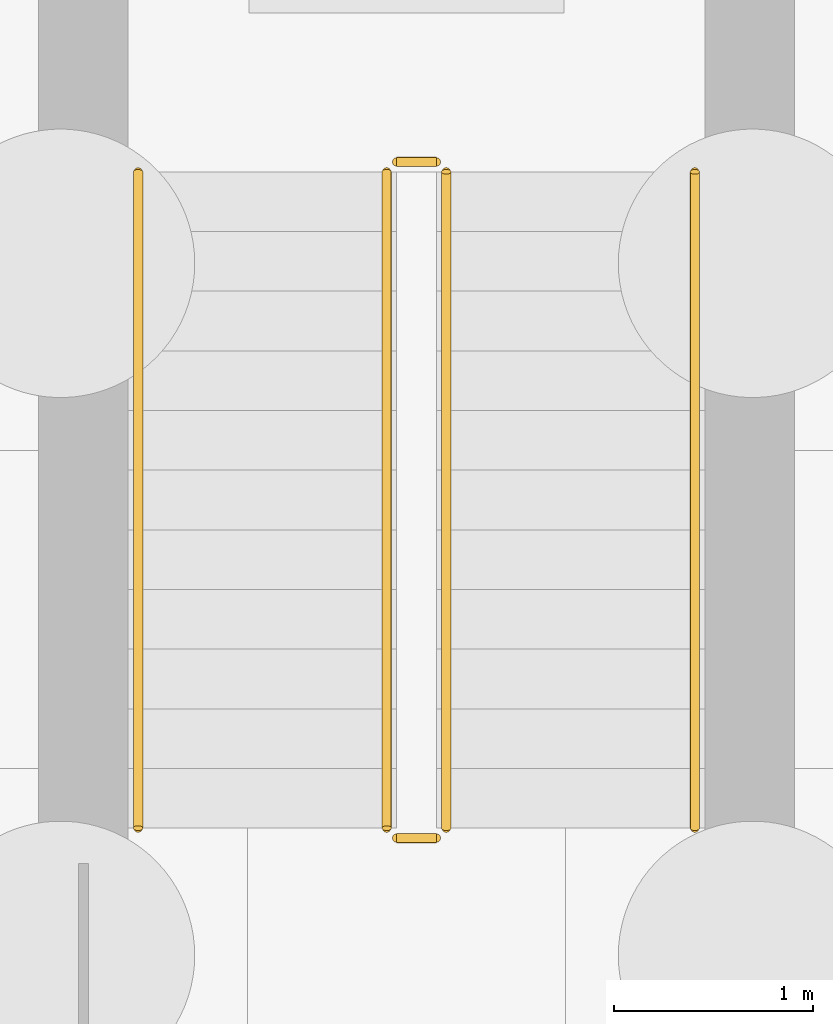
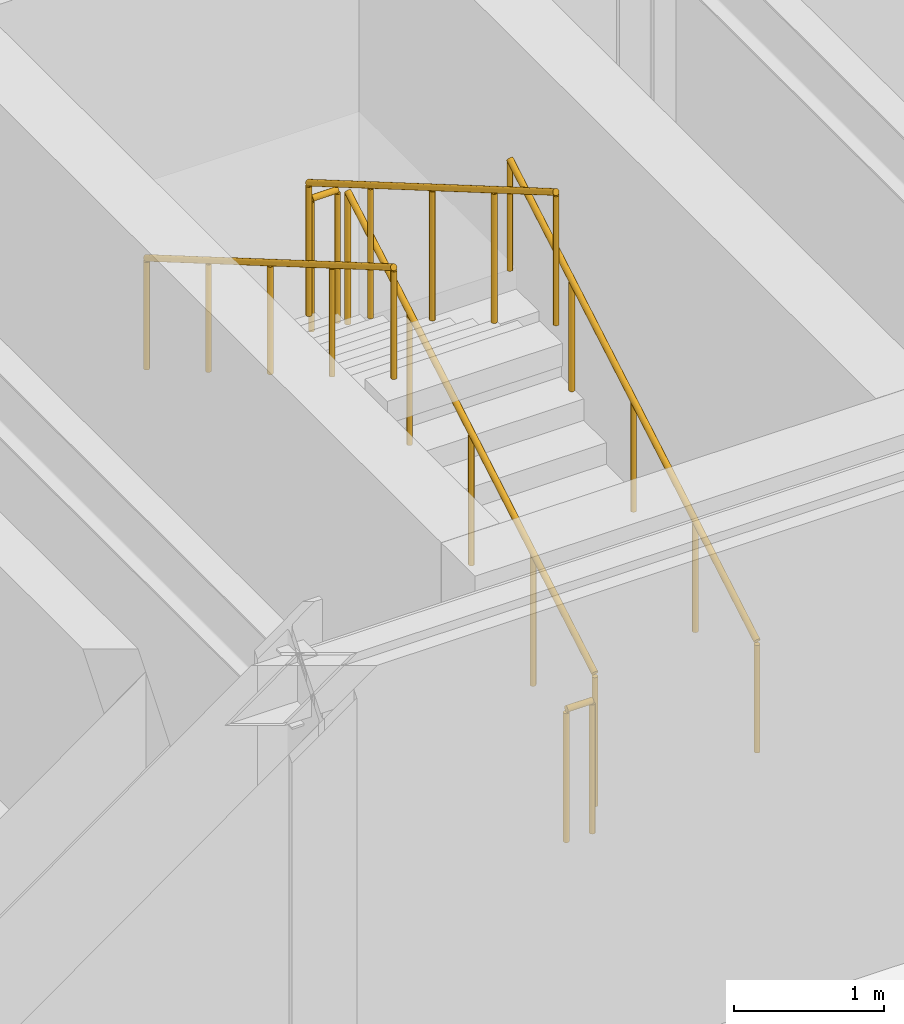
# One storey, part 56 of 58: 6 railings.
"""IFC4 building model written with IfcOpenShell, lengths in metres."""

import ifcopenshell
import ifcopenshell.guid

model = None  # the IFC model being written
_history = None  # IfcOwnerHistory: only IFC2X3 demands one
_inside = {}  # id of a spatial element -> (the spatial element, [elements in it])
_under = {}  # id of a project, library or spatial element -> (it, [spatial elements below it])
_declared = {}  # id of a project -> (the project, [libraries it declares])
_typed = {}  # id of a type object -> (the type object, [elements of that type])
_made_of = {}  # id of a material, layer set ... -> (it, [elements and type objects made of it])


def new_model(schema):
    """Start an empty IFC model of exactly this schema.

    Asked for "IFC4X3", IfcOpenShell would pick the latest addendum, in which some entities
    have other attributes; the version numbers below select the first issue.
    IFC2X3 requires an IfcOwnerHistory on every rooted entity: one is made here for all.
    """
    global model, _history
    if schema == "IFC4X3":
        model = ifcopenshell.file(schema_version=(4, 3, 0, 0))
    else:
        model = ifcopenshell.file(schema=schema)
    _inside.clear()
    _under.clear()
    _declared.clear()
    _typed.clear()
    _made_of.clear()
    _history = None
    if model.schema == "IFC2X3":
        org = make("IfcOrganization", Name="unknown")
        user = make(
            "IfcPersonAndOrganization",
            ThePerson=make("IfcPerson", FamilyName="unknown"),
            TheOrganization=org,
        )
        app = make(
            "IfcApplication",
            ApplicationDeveloper=org,
            Version="unknown",
            ApplicationFullName="unknown",
            ApplicationIdentifier="unknown",
        )
        _history = make(
            "IfcOwnerHistory",
            OwningUser=user,
            OwningApplication=app,
            ChangeAction="ADDED",
            CreationDate=0,
        )
    return model


def make(cls, **values):
    """One entity of the class cls with the attributes given. An attribute that is None is left unset."""
    return model.create_entity(
        cls, **{name: value for name, value in values.items() if value is not None}
    )


def rooted(cls, **values):
    """An entity with a GlobalId (a new one), such as an element, a storey or a relation."""
    return make(cls, GlobalId=ifcopenshell.guid.new(), OwnerHistory=_history, **values)


def si_unit(unit_type, name, prefix=None):
    """IfcSIUnit, for example si_unit("LENGTHUNIT", "METRE", prefix="MILLI")."""
    return make("IfcSIUnit", UnitType=unit_type, Prefix=prefix, Name=name)


def assignment(units):
    """IfcUnitAssignment: the units of a project."""
    return None if units is None else make("IfcUnitAssignment", Units=units)


def point(xyz):
    """IfcCartesianPoint."""
    return None if xyz is None else make("IfcCartesianPoint", Coordinates=xyz)


def direction(xyz):
    """IfcDirection."""
    return None if xyz is None else make("IfcDirection", DirectionRatios=xyz)


def frame(location, z_axis=None, x_axis=None):
    """IfcAxis2Placement3D, a coordinate frame: its origin and axes. An axis left out is left unset."""
    return make(
        "IfcAxis2Placement3D",
        Location=point(location),
        Axis=direction(z_axis),
        RefDirection=direction(x_axis),
    )


def frame_2d(location, x_axis=None):
    """IfcAxis2Placement2D, a coordinate frame in the plane: its origin and x axis."""
    return make(
        "IfcAxis2Placement2D", Location=point(location), RefDirection=direction(x_axis)
    )


def origin():
    """The frame at (0, 0, 0) with its axes left unset."""
    return frame((0.0, 0.0, 0.0))


def origin_2d():
    """The frame at (0, 0) in the plane with its x axis left unset."""
    return frame_2d((0.0, 0.0))


def place(relative_to, where):
    """IfcLocalPlacement: puts the frame where relative to a parent placement (None: the world)."""
    return make(
        "IfcLocalPlacement", PlacementRelTo=relative_to, RelativePlacement=where
    )


def context(
    kind, dimensions, precision=None, world=None, true_north=None, identifier=None
):
    """IfcGeometricRepresentationContext, for example the 3D "Model" context."""
    return make(
        "IfcGeometricRepresentationContext",
        ContextIdentifier=identifier,
        ContextType=kind,
        CoordinateSpaceDimension=dimensions,
        Precision=precision,
        WorldCoordinateSystem=world,
        TrueNorth=true_north,
    )


def subcontext(parent, identifier, kind, view, scale=None):
    """IfcGeometricRepresentationSubContext, for example "Body" below "Model"."""
    return make(
        "IfcGeometricRepresentationSubContext",
        ContextIdentifier=identifier,
        ContextType=kind,
        ParentContext=parent,
        TargetScale=scale,
        TargetView=view,
    )


def project(units=None, contexts=None):
    """IfcProject with its units and contexts."""
    return rooted(
        "IfcProject",
        Name="project",
        RepresentationContexts=contexts,
        UnitsInContext=assignment(units),
    )


def spatial(cls, under=None, at=None, **own):
    """A site, building, storey or space (cls), placed at a placement, below another one or the project."""
    s = rooted(cls, ObjectPlacement=at, **own)
    if under is not None:
        _under.setdefault(under.id(), (under, []))[1].append(s)
    return s


def profile(cls, at=None, kind="AREA", **sizes):
    """A parametric profile (cls). Its sizes go by their IFC names, for example OverallWidth=200.0."""
    return make(cls, ProfileType=kind, Position=at, **sizes)


def circle(**sizes):
    """IfcCircleProfileDef."""
    return profile("IfcCircleProfileDef", **sizes)


def extrude(swept, where, along, depth):
    """IfcExtrudedAreaSolid: the profile swept, set in the frame where, extruded along a direction by depth."""
    return make(
        "IfcExtrudedAreaSolid",
        SweptArea=swept,
        Position=where,
        ExtrudedDirection=direction(along),
        Depth=depth,
    )


def shape(context_of_items, identifier, shape_type, items):
    """IfcShapeRepresentation: the items that make up one representation, for example the "Body"."""
    return make(
        "IfcShapeRepresentation",
        ContextOfItems=context_of_items,
        RepresentationIdentifier=identifier,
        RepresentationType=shape_type,
        Items=items,
    )


def material(Name=None, Category=None):
    """IfcMaterial."""
    return make("IfcMaterial", Name=Name, Category=Category)


def made_of(thing, what):
    """Note that an element or type object is made of a material, layer set ...; save() writes the relation."""
    if what is not None:
        _made_of.setdefault(what.id(), (what, []))[1].append(thing)
    return thing


def type_object(cls, material=None, **own):
    """A type object (cls), such as IfcWallType, which elements share."""
    return made_of(rooted(cls, **own), material)


def element(
    cls,
    number,
    at=None,
    inside=None,
    cuts=None,
    type_object=None,
    material=None,
    context=None,
    identifier="Body",
    shape_type=None,
    held_by="IfcProductDefinitionShape",
    body=None,
    shapes=None,
    **own,
):
    """One element of the class cls, such as IfcWall. Its Tag is "e" and its number.

    at: its placement. inside: the storey or other place that contains it. cuts: it is an
    opening in that element (IfcRelVoidsElement). A single representation is given by context,
    identifier, shape_type and body (its items); several are given by shapes. held_by: the class
    of the entity that holds the representations. save() writes the other relations.
    """
    e = rooted(cls, Tag="e%d" % number, ObjectPlacement=at, **own)
    if body is not None:
        shapes = [shape(context, identifier, shape_type, body)]
    if shapes is not None:
        e.Representation = make(held_by, Representations=shapes)
    if inside is not None:
        _inside.setdefault(inside.id(), (inside, []))[1].append(e)
    if cuts is not None:
        rooted(
            "IfcRelVoidsElement", RelatingBuildingElement=cuts, RelatedOpeningElement=e
        )
    if type_object is not None:
        _typed.setdefault(type_object.id(), (type_object, []))[1].append(e)
    return made_of(e, material)


def aggregate(whole, parts):
    """IfcRelAggregates: a whole, such as a stair, and the parts it consists of."""
    return rooted("IfcRelAggregates", RelatingObject=whole, RelatedObjects=parts)


def save(model, path):
    """Write the relations noted so far, then the file.

    IfcRelAggregates (storeys below a building ...), IfcRelContainedInSpatialStructure (elements
    in a storey), IfcRelDefinesByType, IfcRelAssociatesMaterial and IfcRelDeclares: one each for
    every whole, place, type object, material and project.
    """
    for whole, parts in _under.values():
        aggregate(whole, parts)
    for where, things in _inside.values():
        rooted(
            "IfcRelContainedInSpatialStructure",
            RelatedElements=things,
            RelatingStructure=where,
        )
    for kind, things in _typed.values():
        rooted("IfcRelDefinesByType", RelatedObjects=things, RelatingType=kind)
    for what, things in _made_of.values():
        rooted("IfcRelAssociatesMaterial", RelatedObjects=things, RelatingMaterial=what)
    for by, libraries in _declared.values():
        rooted("IfcRelDeclares", RelatingContext=by, RelatedDefinitions=libraries)
    model.write(path)


model = new_model("IFC4")

# Units and contexts
model_context = context("Model", 3, precision=1e-05, world=origin(), true_north=direction((0.0, 1.0)))
body_context = subcontext(model_context, "Body", "Model", "MODEL_VIEW")
ifc_project = project(units=[si_unit("LENGTHUNIT", "METRE"), si_unit("AREAUNIT", "SQUARE_METRE"), si_unit("VOLUMEUNIT", "CUBIC_METRE"), si_unit("PLANEANGLEUNIT", "RADIAN"), si_unit("MASSUNIT", "GRAM", prefix="KILO")], contexts=[model_context])

# Site, building, storey
site_placement = place(None, origin())
site = spatial("IfcSite", under=ifc_project, at=site_placement, CompositionType="ELEMENT")
building_placement = place(site_placement, origin())
building = spatial("IfcBuilding", under=site, at=building_placement, Name="Karori Crest Natural Sciences Institute", CompositionType="ELEMENT")
storey_placement = place(building_placement, frame((0.0, 0.0, -4.199951171875)))
storey = spatial("IfcBuildingStorey", under=building, at=storey_placement, Name="B1", CompositionType="ELEMENT", Elevation=-4.199951171875)

# Railings
ifc_material_1 = material(Name="Stainless steel 316 tubular handrail", Category="steel")
railing_type_1 = type_object("IfcRailingType", Name="RLT-HND", PredefinedType="HANDRAIL", material=ifc_material_1)
railing_1_placement = place(storey_placement, frame((134.75, 3.0, 0.175048828125)))
element("IfcRailing", 1, at=railing_1_placement, inside=storey, type_object=railing_type_1, Name="Stair handrail RL-0164", PredefinedType="HANDRAIL", context=body_context, shape_type="SweptSolid", body=[
    extrude(circle(Radius=0.02392578125, at=origin_2d()), frame((0.0, 0.0, 0.90087890625), z_axis=(0.0, 0.863804395585, 0.503827317807), x_axis=(-1.0, 0.0, 0.0)), (0.0, 0.0, 1.0), 3.8203125),
    extrude(circle(Radius=0.02099609375, at=origin_2d()), origin(), (0.0, 0.0, 1.0), 0.876953125),
    extrude(circle(Radius=0.02099609375, at=origin_2d()), frame((0.0, 0.824951171875, 0.481201171875)), (0.0, 0.0, 1.0), 0.876953125),
    extrude(circle(Radius=0.02099609375, at=origin_2d()), frame((0.0, 1.64990234375, 0.96240234375)), (0.0, 0.0, 1.0), 0.876953125),
    extrude(circle(Radius=0.02099609375, at=origin_2d()), frame((0.0, 2.47509765625, 1.443603515625)), (0.0, 0.0, 1.0), 0.876953125),
    extrude(circle(Radius=0.02099609375, at=origin_2d()), frame((0.0, 3.300048828125, 1.9248046875)), (0.0, 0.0, 1.0), 0.876953125),
])
railing_2_placement = place(storey_placement, frame((131.949951171875, 6.300048828125, 2.27490234375)))
element("IfcRailing", 2, at=railing_2_placement, inside=storey, type_object=railing_type_1, Name="Stair handrail RL-0165", PredefinedType="HANDRAIL", context=body_context, shape_type="SweptSolid", body=[
    extrude(circle(Radius=0.02392578125, at=origin_2d()), frame((0.0, 0.0, 0.90087890625), z_axis=(0.0, -0.863776583165, 0.503874998761), x_axis=(1.0, 0.0, 0.0)), (0.0, 0.0, 1.0), 3.820556640625),
    extrude(circle(Radius=0.02099609375, at=origin_2d()), origin(), (0.0, 0.0, 1.0), 0.876953125),
    extrude(circle(Radius=0.02099609375, at=origin_2d()), frame((0.0, -0.824951171875, 0.481201171875)), (0.0, 0.0, 1.0), 0.876953125),
    extrude(circle(Radius=0.02099609375, at=origin_2d()), frame((0.0, -1.64990234375, 0.96240234375)), (0.0, 0.0, 1.0), 0.876953125),
    extrude(circle(Radius=0.02099609375, at=origin_2d()), frame((0.0, -2.47509765625, 1.44384765625)), (0.0, 0.0, 1.0), 0.876953125),
    extrude(circle(Radius=0.02099609375, at=origin_2d()), frame((0.0, -3.300048828125, 1.925048828125)), (0.0, 0.0, 1.0), 0.876953125),
])
ifc_material_2 = material(Name="Stainless steel 316 stair guard", Category="steel")
railing_type_2 = type_object("IfcRailingType", Name="RLT-STG", PredefinedType="GUARDRAIL", material=ifc_material_2)
railing_3_placement = place(storey_placement, frame((133.5, 3.0, 0.175048828125)))
element("IfcRailing", 3, at=railing_3_placement, inside=storey, type_object=railing_type_2, Name="Stair guard RL-0160", PredefinedType="GUARDRAIL", context=body_context, shape_type="SweptSolid", body=[
    extrude(circle(Radius=0.02392578125, at=origin_2d()), frame((0.0, 0.0, 1.076171875), z_axis=(0.0, 0.863804395585, 0.503827317807), x_axis=(-1.0, 0.0, 0.0)), (0.0, 0.0, 1.0), 3.8203125),
    extrude(circle(Radius=0.02099609375, at=origin_2d()), origin(), (0.0, 0.0, 1.0), 1.052001953125),
    extrude(circle(Radius=0.02099609375, at=origin_2d()), frame((0.0, 0.824951171875, 0.481201171875)), (0.0, 0.0, 1.0), 1.052001953125),
    extrude(circle(Radius=0.02099609375, at=origin_2d()), frame((0.0, 1.64990234375, 0.96240234375)), (0.0, 0.0, 1.0), 1.052001953125),
    extrude(circle(Radius=0.02099609375, at=origin_2d()), frame((0.0, 2.47509765625, 1.443603515625)), (0.0, 0.0, 1.0), 1.052001953125),
    extrude(circle(Radius=0.02099609375, at=origin_2d()), frame((0.0, 3.300048828125, 1.9248046875)), (0.0, 0.0, 1.0), 1.052001953125),
])
railing_4_placement = place(storey_placement, frame((133.449951171875, 6.35009765625, 2.099853515625)))
element("IfcRailing", 4, at=railing_4_placement, inside=storey, type_object=railing_type_2, Name="Stair guard RL-0161", PredefinedType="GUARDRAIL", context=body_context, shape_type="SweptSolid", body=[
    extrude(circle(Radius=0.02392578125, at=origin_2d()), frame((0.0, 0.0, 1.076171875), z_axis=(-1.0, 0.0, 0.0), x_axis=(0.0, -1.0, 0.0)), (0.0, 0.0, 1.0), 0.199951171875),
    extrude(circle(Radius=0.02099609375, at=origin_2d()), origin(), (0.0, 0.0, 1.0), 1.052001953125),
    extrude(circle(Radius=0.02099609375, at=origin_2d()), frame((-0.199951171875, 0.0, 0.0)), (0.0, 0.0, 1.0), 1.052001953125),
])
railing_5_placement = place(storey_placement, frame((133.199951171875, 6.300048828125, 2.27490234375)))
element("IfcRailing", 5, at=railing_5_placement, inside=storey, type_object=railing_type_2, Name="Stair guard RL-0162", PredefinedType="GUARDRAIL", context=body_context, shape_type="SweptSolid", body=[
    extrude(circle(Radius=0.02392578125, at=origin_2d()), frame((0.0, 0.0, 1.076171875), z_axis=(0.0, -0.863776583165, 0.503874998761), x_axis=(1.0, 0.0, 0.0)), (0.0, 0.0, 1.0), 3.820556640625),
    extrude(circle(Radius=0.02099609375, at=origin_2d()), origin(), (0.0, 0.0, 1.0), 1.052001953125),
    extrude(circle(Radius=0.02099609375, at=origin_2d()), frame((0.0, -0.824951171875, 0.481201171875)), (0.0, 0.0, 1.0), 1.052001953125),
    extrude(circle(Radius=0.02099609375, at=origin_2d()), frame((0.0, -1.64990234375, 0.96240234375)), (0.0, 0.0, 1.0), 1.052001953125),
    extrude(circle(Radius=0.02099609375, at=origin_2d()), frame((0.0, -2.47509765625, 1.44384765625)), (0.0, 0.0, 1.0), 1.052001953125),
    extrude(circle(Radius=0.02099609375, at=origin_2d()), frame((0.0, -3.300048828125, 1.925048828125)), (0.0, 0.0, 1.0), 1.052001953125),
])
railing_6_placement = place(storey_placement, frame((133.449951171875, 2.949951171875, 0.0)))
element("IfcRailing", 6, at=railing_6_placement, inside=storey, type_object=railing_type_2, Name="Stair guard RL-0163", PredefinedType="GUARDRAIL", context=body_context, shape_type="SweptSolid", body=[
    extrude(circle(Radius=0.02392578125, at=origin_2d()), frame((0.0, 0.0, 1.076171875), z_axis=(-1.0, 0.0, 0.0), x_axis=(0.0, -1.0, 0.0)), (0.0, 0.0, 1.0), 0.199951171875),
    extrude(circle(Radius=0.02099609375, at=origin_2d()), origin(), (0.0, 0.0, 1.0), 1.052001953125),
    extrude(circle(Radius=0.02099609375, at=origin_2d()), frame((-0.199951171875, 0.0, 0.0)), (0.0, 0.0, 1.0), 1.052001953125),
])

save(model, "model.ifc")
